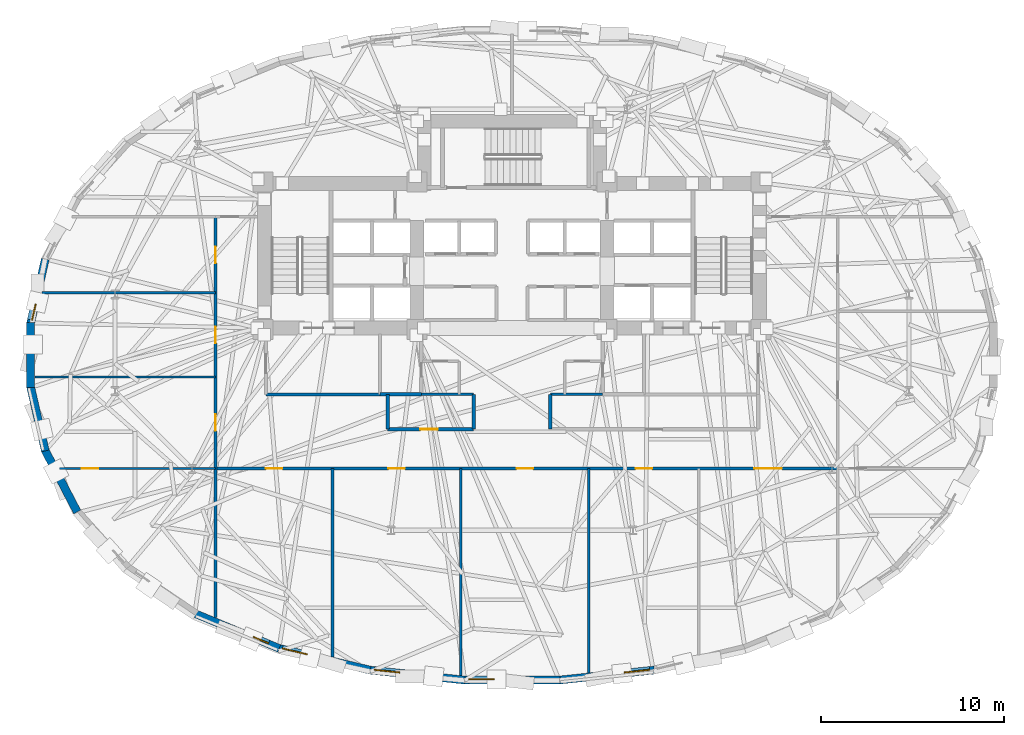
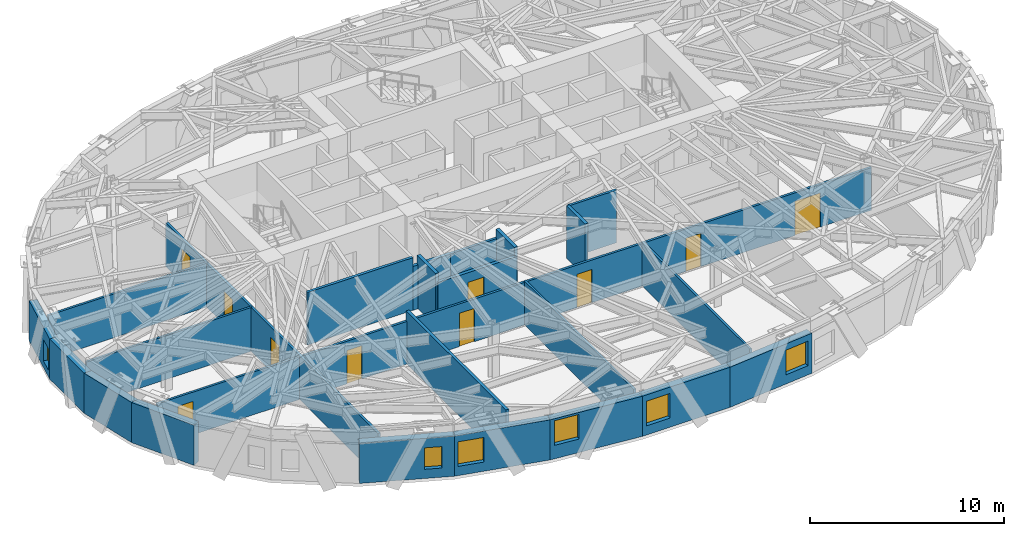
# One storey, part 6 of 14: 25 walls, 10 doors, 6 windows, 16 openings.
"""IFC4 building model written with IfcOpenShell, lengths in metres."""

from ifc_helpers import new_model, si_unit, direction, frame, frame_2d, origin, place, context, subcontext, project, spatial, rectangle, extrude, material, layer, layer_set, type_object, element, fill, save


model = new_model("IFC4")

# Units and contexts
model_context = context("Model", 3, precision=1e-05, world=origin(), true_north=direction((0.0, 1.0)))
body_context = subcontext(model_context, "Body", "Model", "MODEL_VIEW")
ifc_project = project(units=[si_unit("LENGTHUNIT", "METRE"), si_unit("AREAUNIT", "SQUARE_METRE"), si_unit("VOLUMEUNIT", "CUBIC_METRE"), si_unit("PLANEANGLEUNIT", "RADIAN"), si_unit("MASSUNIT", "GRAM", prefix="KILO")], contexts=[model_context])

# Site, building, storey
site_placement = place(None, origin())
site = spatial("IfcSite", under=ifc_project, at=site_placement, CompositionType="ELEMENT")
building_placement = place(site_placement, origin())
building = spatial("IfcBuilding", under=site, at=building_placement, Name="Keldmark Tower", CompositionType="ELEMENT")
storey_placement = place(building_placement, frame((0.0, 0.0, 117.60009765625)))
storey = spatial("IfcBuildingStorey", under=building, at=storey_placement, Name="L31", CompositionType="ELEMENT", Elevation=117.60009765625)

# Wall, openings, doors
ifc_material_1 = material(Name="Acoustic Double-Layer Gypsum Corridor Partition", Category="gypsum")
ifc_layer_1 = layer(ifc_material_1, 0.139892578125)
ifc_layer_set_1 = layer_set([ifc_layer_1], Name="Acoustic Double-Layer Gypsum Corridor Partition")
wall_type_1 = type_object("IfcWallType", Name="Acoustic Corridor Partition 140 mm", PredefinedType="PARTITIONING", material=ifc_layer_set_1)
wall_1_placement = place(storey_placement, frame((-16.199951171875, -6.199951171875, 0.0), z_axis=(0.0, 0.0, 1.0), x_axis=(1.0, 0.0, 0.0)))
wall_1 = element("IfcWall", 1, at=wall_1_placement, inside=storey, type_object=wall_type_1, Name="L31 Acoustic Corridor Partition 140 mm COR-S", PredefinedType="PARTITIONING", context=body_context, shape_type="SweptSolid", body=[
    extrude(rectangle(XDim=34.0, YDim=0.139892578125, at=frame_2d((17.0, 0.0))), origin(), (0.0, 0.0, 1.0), 2.68798828125),
])
opening_1_placement = place(wall_1_placement, frame((2.75, 0.0, 0.0)))
opening_1 = element("IfcOpeningElement", 2, at=opening_1_placement, cuts=wall_1, Name="Opening D-IN090", PredefinedType="OPENING", context=body_context, shape_type="SweptSolid", body=[
    extrude(rectangle(XDim=0.89990234375, YDim=2.10009765625, at=frame_2d((0.449951171875, 1.050048828125))), frame((0.0, 0.079833984375, 0.0), z_axis=(0.0, -1.0, 0.0), x_axis=(1.0, 0.0, 0.0)), (0.0, 0.0, 1.0), 0.159912109375),
])
opening_2_placement = place(wall_1_placement, frame((9.449951171875, 0.0, 0.0)))
opening_2 = element("IfcOpeningElement", 3, at=opening_2_placement, cuts=wall_1, Name="Opening D-IN090", PredefinedType="OPENING", context=body_context, shape_type="SweptSolid", body=[
    extrude(rectangle(XDim=0.89990234375, YDim=2.10009765625, at=frame_2d((0.449951171875, 1.050048828125))), frame((0.0, 0.079833984375, 0.0), z_axis=(0.0, -1.0, 0.0), x_axis=(1.0, 0.0, 0.0)), (0.0, 0.0, 1.0), 0.159912109375),
])
opening_3_placement = place(wall_1_placement, frame((16.449951171875, 0.0, 0.0)))
opening_3 = element("IfcOpeningElement", 4, at=opening_3_placement, cuts=wall_1, Name="Opening D-IN090", PredefinedType="OPENING", context=body_context, shape_type="SweptSolid", body=[
    extrude(rectangle(XDim=0.89990234375, YDim=2.10009765625, at=frame_2d((0.449951171875, 1.050048828125))), frame((0.0, 0.079833984375, 0.0), z_axis=(0.0, -1.0, 0.0), x_axis=(1.0, 0.0, 0.0)), (0.0, 0.0, 1.0), 0.159912109375),
])
opening_4_placement = place(wall_1_placement, frame((22.949951171875, 0.0, 0.0)))
opening_4 = element("IfcOpeningElement", 5, at=opening_4_placement, cuts=wall_1, Name="Opening D-IN090", PredefinedType="OPENING", context=body_context, shape_type="SweptSolid", body=[
    extrude(rectangle(XDim=0.89990234375, YDim=2.10009765625, at=frame_2d((0.449951171875, 1.050048828125))), frame((0.0, 0.079833984375, 0.0), z_axis=(0.0, -1.0, 0.0), x_axis=(1.0, 0.0, 0.0)), (0.0, 0.0, 1.0), 0.159912109375),
])
opening_5_placement = place(wall_1_placement, frame((29.449951171875, 0.0, 0.0)))
opening_5 = element("IfcOpeningElement", 6, at=opening_5_placement, cuts=wall_1, Name="Opening D-CF150", PredefinedType="OPENING", context=body_context, shape_type="SweptSolid", body=[
    extrude(rectangle(XDim=1.5, YDim=2.14990234375, at=frame_2d((0.75, 1.074951171875))), frame((0.0, 0.079833984375, 0.0), z_axis=(0.0, -1.0, 0.0), x_axis=(1.0, 0.0, 0.0)), (0.0, 0.0, 1.0), 0.159912109375),
])
ifc_material_2 = material(Name="Acoustic Timber and Tempered Glass Double Door", Category="wood")
door_type_1 = type_object("IfcDoorType", Name="Conference Double Door 1500x2150", OperationType="DOUBLE_DOOR_SINGLE_SWING", PredefinedType="DOOR", material=ifc_material_2)
door_1_placement = place(opening_5_placement, origin())
door_1 = element("IfcDoor", 7, at=door_1_placement, inside=storey, type_object=door_type_1, Name="L31 Conference Double Door 1500x2150 D-SR-5-L31", OperationType="DOUBLE_DOOR_SINGLE_SWING", OverallHeight=2.14990234375, OverallWidth=1.5, PredefinedType="DOOR", context=body_context, shape_type="SweptSolid", body=[
    extrude(rectangle(XDim=1.5, YDim=2.14990234375, at=frame_2d((0.75, 1.074951171875))), frame((0.0, 0.02490234375, 0.0), z_axis=(0.0, -1.0, 0.0), x_axis=(1.0, 0.0, 0.0)), (0.0, 0.0, 1.0), 0.050048828125),
])
fill(opening_5, door_1)
ifc_material_3 = material(Name="Stained American White Oak Veneer", Category="wood")
door_type_2 = type_object("IfcDoorType", Name="Interior Door 900x2100", OperationType="NOTDEFINED", PredefinedType="DOOR", material=ifc_material_3)
door_2_placement = place(opening_1_placement, origin())
door_2 = element("IfcDoor", 8, at=door_2_placement, inside=storey, type_object=door_type_2, Name="L31 Interior Door 900x2100 D-SR-1-L31", OperationType="SINGLE_SWING_LEFT", OverallHeight=2.10009765625, OverallWidth=0.89990234375, PredefinedType="DOOR", context=body_context, shape_type="SweptSolid", body=[
    extrude(rectangle(XDim=0.89990234375, YDim=2.10009765625, at=frame_2d((0.449951171875, 1.050048828125))), frame((0.0, 0.02490234375, 0.0), z_axis=(0.0, -1.0, 0.0), x_axis=(1.0, 0.0, 0.0)), (0.0, 0.0, 1.0), 0.050048828125),
])
fill(opening_1, door_2)
door_3_placement = place(opening_2_placement, origin())
door_3 = element("IfcDoor", 9, at=door_3_placement, inside=storey, type_object=door_type_2, Name="L31 Interior Door 900x2100 D-SR-2-L31", OperationType="SINGLE_SWING_RIGHT", OverallHeight=2.10009765625, OverallWidth=0.89990234375, PredefinedType="DOOR", context=body_context, shape_type="SweptSolid", body=[
    extrude(rectangle(XDim=0.89990234375, YDim=2.10009765625, at=frame_2d((0.449951171875, 1.050048828125))), frame((0.0, 0.02490234375, 0.0), z_axis=(0.0, -1.0, 0.0), x_axis=(1.0, 0.0, 0.0)), (0.0, 0.0, 1.0), 0.050048828125),
])
fill(opening_2, door_3)
door_4_placement = place(opening_3_placement, origin())
door_4 = element("IfcDoor", 10, at=door_4_placement, inside=storey, type_object=door_type_2, Name="L31 Interior Door 900x2100 D-SR-3-L31", OperationType="SINGLE_SWING_LEFT", OverallHeight=2.10009765625, OverallWidth=0.89990234375, PredefinedType="DOOR", context=body_context, shape_type="SweptSolid", body=[
    extrude(rectangle(XDim=0.89990234375, YDim=2.10009765625, at=frame_2d((0.449951171875, 1.050048828125))), frame((0.0, 0.02490234375, 0.0), z_axis=(0.0, -1.0, 0.0), x_axis=(1.0, 0.0, 0.0)), (0.0, 0.0, 1.0), 0.050048828125),
])
fill(opening_3, door_4)
door_5_placement = place(opening_4_placement, origin())
door_5 = element("IfcDoor", 11, at=door_5_placement, inside=storey, type_object=door_type_2, Name="L31 Interior Door 900x2100 D-SR-4-L31", OperationType="SINGLE_SWING_RIGHT", OverallHeight=2.10009765625, OverallWidth=0.89990234375, PredefinedType="DOOR", context=body_context, shape_type="SweptSolid", body=[
    extrude(rectangle(XDim=0.89990234375, YDim=2.10009765625, at=frame_2d((0.449951171875, 1.050048828125))), frame((0.0, 0.02490234375, 0.0), z_axis=(0.0, -1.0, 0.0), x_axis=(1.0, 0.0, 0.0)), (0.0, 0.0, 1.0), 0.050048828125),
])
fill(opening_4, door_5)

wall_2_placement = place(storey_placement, frame((-16.199951171875, -14.348388671875, 0.0), z_axis=(0.0, 0.0, 1.0), x_axis=(0.0, 1.0, 0.0)))
wall_2 = element("IfcWall", 12, at=wall_2_placement, inside=storey, type_object=wall_type_1, Name="L31 Acoustic Corridor Partition 140 mm COR-W", PredefinedType="PARTITIONING", context=body_context, shape_type="SweptSolid", body=[
    extrude(rectangle(XDim=21.8984375, YDim=0.139892578125, at=frame_2d((10.94921875, 0.0))), origin(), (0.0, 0.0, 1.0), 2.762939453125),
])
opening_6_placement = place(wall_2_placement, frame((10.198486328125, 0.0, 0.0)))
opening_6 = element("IfcOpeningElement", 13, at=opening_6_placement, cuts=wall_2, Name="Opening D-IN090", PredefinedType="OPENING", context=body_context, shape_type="SweptSolid", body=[
    extrude(rectangle(XDim=0.89990234375, YDim=2.10009765625, at=frame_2d((0.449951171875, 1.050048828125))), frame((0.0, 0.079833984375, 0.0), z_axis=(0.0, -1.0, 0.0), x_axis=(1.0, 0.0, 0.0)), (0.0, 0.0, 1.0), 0.159912109375),
])
opening_7_placement = place(wall_2_placement, frame((14.998291015625, 0.0, 0.0)))
opening_7 = element("IfcOpeningElement", 14, at=opening_7_placement, cuts=wall_2, Name="Opening D-IN090", PredefinedType="OPENING", context=body_context, shape_type="SweptSolid", body=[
    extrude(rectangle(XDim=0.89990234375, YDim=2.10009765625, at=frame_2d((0.449951171875, 1.050048828125))), frame((0.0, 0.079833984375, 0.0), z_axis=(0.0, -1.0, 0.0), x_axis=(1.0, 0.0, 0.0)), (0.0, 0.0, 1.0), 0.159912109375),
])
opening_8_placement = place(wall_2_placement, frame((19.373291015625, 0.0, 0.0)))
opening_8 = element("IfcOpeningElement", 15, at=opening_8_placement, cuts=wall_2, Name="Opening D-IN090", PredefinedType="OPENING", context=body_context, shape_type="SweptSolid", body=[
    extrude(rectangle(XDim=0.89990234375, YDim=2.10009765625, at=frame_2d((0.449951171875, 1.050048828125))), frame((0.0, 0.079833984375, 0.0), z_axis=(0.0, -1.0, 0.0), x_axis=(1.0, 0.0, 0.0)), (0.0, 0.0, 1.0), 0.159912109375),
])
door_6_placement = place(opening_6_placement, origin())
door_6 = element("IfcDoor", 16, at=door_6_placement, inside=storey, type_object=door_type_2, Name="L31 Interior Door 900x2100 D-WR-1-L31", OperationType="SINGLE_SWING_LEFT", OverallHeight=2.10009765625, OverallWidth=0.89990234375, PredefinedType="DOOR", context=body_context, shape_type="SweptSolid", body=[
    extrude(rectangle(XDim=0.89990234375, YDim=2.10009765625, at=frame_2d((0.449951171875, 1.050048828125))), frame((0.0, 0.02490234375, 0.0), z_axis=(0.0, -1.0, 0.0), x_axis=(1.0, 0.0, 0.0)), (0.0, 0.0, 1.0), 0.050048828125),
])
fill(opening_6, door_6)
door_7_placement = place(opening_7_placement, origin())
door_7 = element("IfcDoor", 17, at=door_7_placement, inside=storey, type_object=door_type_2, Name="L31 Interior Door 900x2100 D-WR-2-L31", OperationType="SINGLE_SWING_RIGHT", OverallHeight=2.10009765625, OverallWidth=0.89990234375, PredefinedType="DOOR", context=body_context, shape_type="SweptSolid", body=[
    extrude(rectangle(XDim=0.89990234375, YDim=2.10009765625, at=frame_2d((0.449951171875, 1.050048828125))), frame((0.0, 0.02490234375, 0.0), z_axis=(0.0, -1.0, 0.0), x_axis=(1.0, 0.0, 0.0)), (0.0, 0.0, 1.0), 0.050048828125),
])
fill(opening_7, door_7)
door_8_placement = place(opening_8_placement, origin())
door_8 = element("IfcDoor", 18, at=door_8_placement, inside=storey, type_object=door_type_2, Name="L31 Interior Door 900x2100 D-WR-3-L31", OperationType="SINGLE_SWING_LEFT", OverallHeight=2.10009765625, OverallWidth=0.89990234375, PredefinedType="DOOR", context=body_context, shape_type="SweptSolid", body=[
    extrude(rectangle(XDim=0.89990234375, YDim=2.10009765625, at=frame_2d((0.449951171875, 1.050048828125))), frame((0.0, 0.02490234375, 0.0), z_axis=(0.0, -1.0, 0.0), x_axis=(1.0, 0.0, 0.0)), (0.0, 0.0, 1.0), 0.050048828125),
])
fill(opening_8, door_8)

# Wall
ifc_material_4 = material(Name="STC-58 Insulated Tenant Demising Gypsum Partition", Category="gypsum")
ifc_layer_2 = layer(ifc_material_4, 0.175048828125)
ifc_layer_set_2 = layer_set([ifc_layer_2], Name="STC-58 Insulated Tenant Demising Gypsum Partition")
wall_type_2 = type_object("IfcWallType", Name="Demising Suite Partition 175 mm", PredefinedType="PARTITIONING", material=ifc_layer_set_2)
wall_3_placement = place(storey_placement, frame((-9.800048828125, -16.495361328125, 0.0), z_axis=(0.0, 0.0, 1.0), x_axis=(0.0, 1.0, 0.0)))
element("IfcWall", 19, at=wall_3_placement, inside=storey, type_object=wall_type_2, Name="L31 Demising Suite Partition 175 mm S-DIV-1", PredefinedType="PARTITIONING", context=body_context, shape_type="SweptSolid", body=[
    extrude(rectangle(XDim=10.29541015625, YDim=0.175048828125, at=frame_2d((5.147705078125, 0.0))), origin(), (0.0, 0.0, 1.0), 3.309814453125),
])

# Wall, opening, door
ifc_material_5 = material(Name="Heavy Acoustic Plumbing Chase Gypsum Assembly", Category="gypsum")
ifc_layer_3 = layer(ifc_material_5, 0.18994140625)
ifc_layer_set_3 = layer_set([ifc_layer_3], Name="Heavy Acoustic Plumbing Chase Gypsum Assembly")
wall_type_3 = type_object("IfcWallType", Name="Heavy Wet Wall 190 mm", PredefinedType="PLUMBINGWALL", material=ifc_layer_set_3)
wall_4_placement = place(storey_placement, frame((-6.800048828125, -4.050048828125, 0.0), z_axis=(0.0, 0.0, 1.0), x_axis=(1.0, 0.0, 0.0)))
wall_4 = element("IfcWall", 20, at=wall_4_placement, inside=storey, type_object=wall_type_3, Name="L31 Heavy Wet Wall 190 mm SPK-W-S", PredefinedType="PLUMBINGWALL", context=body_context, shape_type="SweptSolid", body=[
    extrude(rectangle(XDim=4.699951171875, YDim=0.18994140625, at=frame_2d((2.35009765625, 0.0))), origin(), (0.0, 0.0, 1.0), 2.762939453125),
])
opening_9_placement = place(wall_4_placement, frame((1.800048828125, 0.0, 0.0)))
opening_9 = element("IfcOpeningElement", 21, at=opening_9_placement, cuts=wall_4, Name="Opening D-AWC95", PredefinedType="OPENING", context=body_context, shape_type="SweptSolid", body=[
    extrude(rectangle(XDim=0.949951171875, YDim=2.14990234375, at=frame_2d((0.47509765625, 1.074951171875))), frame((0.0, 0.10498046875, 0.0), z_axis=(0.0, -1.0, 0.0), x_axis=(1.0, 0.0, 0.0)), (0.0, 0.0, 1.0), 0.2099609375),
])
ifc_material_6 = material(Name="Painted Solid-Core Architectural Wood", Category="wood")
door_type_3 = type_object("IfcDoorType", Name="Accessible WC Door 950x2150", OperationType="NOTDEFINED", PredefinedType="DOOR", material=ifc_material_6)
door_9_placement = place(opening_9_placement, origin())
door_9 = element("IfcDoor", 22, at=door_9_placement, inside=storey, type_object=door_type_3, Name="L31 Accessible WC Door 950x2150 D-SPKW1-L31", OperationType="SINGLE_SWING_LEFT", OverallHeight=2.14990234375, OverallWidth=0.949951171875, PredefinedType="DOOR", context=body_context, shape_type="SweptSolid", body=[
    extrude(rectangle(XDim=0.949951171875, YDim=2.14990234375, at=frame_2d((0.47509765625, 1.074951171875))), frame((0.0, 0.02490234375, 0.0), z_axis=(0.0, -1.0, 0.0), x_axis=(1.0, 0.0, 0.0)), (0.0, 0.0, 1.0), 0.050048828125),
])
fill(opening_9, door_9)

# Walls
for number, where, z_axis, x_axis, name in (
    (23, (-6.800048828125, -4.050048828125, 0.0), (0.0, 0.0, 1.0), (0.0, 1.0, 0.0), "L31 Heavy Wet Wall 190 mm SPK-W-W"),
    (24, (-2.10009765625, -4.050048828125, 0.0), (0.0, 0.0, 1.0), (0.0, 1.0, 0.0), "L31 Heavy Wet Wall 190 mm SPK-W-E"),
    (25, (2.10009765625, -4.050048828125, 0.0), (0.0, 0.0, 1.0), (0.0, 1.0, 0.0), "L31 Heavy Wet Wall 190 mm SPK-E-W"),
):
    element("IfcWall", number, at=place(storey_placement, frame(where, z_axis=z_axis, x_axis=x_axis)), inside=storey, type_object=wall_type_3, Name=name, PredefinedType="PLUMBINGWALL", context=body_context, shape_type="SweptSolid", body=[
        extrude(rectangle(XDim=1.900146484375, YDim=0.18994140625, at=frame_2d((0.9501953125, 0.0))), origin(), (0.0, 0.0, 1.0), 3.309814453125),
    ])
ifc_material_7 = material(Name="Acoustic Gypsum Board Interior Partition", Category="gypsum")
ifc_layer_4 = layer(ifc_material_7, 0.1298828125)
ifc_layer_set_4 = layer_set([ifc_layer_4], Name="Acoustic Gypsum Board Interior Partition")
wall_type_4 = type_object("IfcWallType", Name="Interior Partition 130 mm", PredefinedType="PARTITIONING", material=ifc_layer_set_4)
wall_5_placement = place(storey_placement, frame((-2.800048828125, -17.510498046875, 0.0), z_axis=(0.0, 0.0, 1.0), x_axis=(0.0, 1.0, 0.0)))
element("IfcWall", 26, at=wall_5_placement, inside=storey, type_object=wall_type_4, Name="L31 Interior Partition 130 mm S-DIV-2", PredefinedType="PARTITIONING", context=body_context, shape_type="SweptSolid", body=[
    extrude(rectangle(XDim=11.310546875, YDim=0.1298828125, at=frame_2d((5.6552734375, 0.0))), origin(), (0.0, 0.0, 1.0), 2.762939453125),
])
wall_6_placement = place(storey_placement, frame((4.199951171875, -17.363037109375, 0.0), z_axis=(0.0, 0.0, 1.0), x_axis=(0.0, 1.0, 0.0)))
element("IfcWall", 27, at=wall_6_placement, inside=storey, type_object=wall_type_4, Name="L31 Interior Partition 130 mm S-DIV-3", PredefinedType="PARTITIONING", context=body_context, shape_type="SweptSolid", body=[
    extrude(rectangle(XDim=11.1630859375, YDim=0.1298828125, at=frame_2d((5.58154296875, 0.0))), origin(), (0.0, 0.0, 1.0), 2.762939453125),
])

# Wall, opening, door
wall_7_placement = place(storey_placement, frame((-24.736572265625, -6.199951171875, 0.0), z_axis=(0.0, 0.0, 1.0), x_axis=(1.0, 0.0, 0.0)))
wall_7 = element("IfcWall", 28, at=wall_7_placement, inside=storey, type_object=wall_type_4, Name="L31 Interior Partition 130 mm W-CAP-S", PredefinedType="PARTITIONING", context=body_context, shape_type="SweptSolid", body=[
    extrude(rectangle(XDim=8.53662109375, YDim=0.1298828125, at=frame_2d((4.268310546875, 0.0))), origin(), (0.0, 0.0, 1.0), 2.68798828125),
])
opening_10_placement = place(wall_7_placement, frame((1.22998046875, 0.0, 0.0)))
opening_10 = element("IfcOpeningElement", 29, at=opening_10_placement, cuts=wall_7, Name="Opening D-IN090", PredefinedType="OPENING", context=body_context, shape_type="SweptSolid", body=[
    extrude(rectangle(XDim=0.89990234375, YDim=2.10009765625, at=frame_2d((0.449951171875, 1.050048828125))), frame((0.0, 0.074951171875, 0.0), z_axis=(0.0, -1.0, 0.0), x_axis=(1.0, 0.0, 0.0)), (0.0, 0.0, 1.0), 0.14990234375),
])
door_10_placement = place(opening_10_placement, origin())
door_10 = element("IfcDoor", 30, at=door_10_placement, inside=storey, type_object=door_type_2, Name="L31 Interior Door 900x2100 D-WRSW-L31", OperationType="SINGLE_SWING_LEFT", OverallHeight=2.10009765625, OverallWidth=0.89990234375, PredefinedType="DOOR", context=body_context, shape_type="SweptSolid", body=[
    extrude(rectangle(XDim=0.89990234375, YDim=2.10009765625, at=frame_2d((0.449951171875, 1.050048828125))), frame((0.0, 0.02490234375, 0.0), z_axis=(0.0, -1.0, 0.0), x_axis=(1.0, 0.0, 0.0)), (0.0, 0.0, 1.0), 0.050048828125),
])
fill(opening_10, door_10)

# Walls
wall_8_placement = place(storey_placement, frame((-26.073974609375, -1.199951171875, 0.0), z_axis=(0.0, 0.0, 1.0), x_axis=(1.0, 0.0, 0.0)))
element("IfcWall", 31, at=wall_8_placement, inside=storey, type_object=wall_type_4, Name="L31 Interior Partition 130 mm W-DIV-1", PredefinedType="PARTITIONING", context=body_context, shape_type="SweptSolid", body=[
    extrude(rectangle(XDim=9.8740234375, YDim=0.1298828125, at=frame_2d((4.93701171875, 0.0))), origin(), (0.0, 0.0, 1.0), 2.762939453125),
])
wall_9_placement = place(storey_placement, frame((-25.689208984375, 3.39990234375, 0.0), z_axis=(0.0, 0.0, 1.0), x_axis=(1.0, 0.0, 0.0)))
element("IfcWall", 32, at=wall_9_placement, inside=storey, type_object=wall_type_4, Name="L31 Interior Partition 130 mm W-DIV-2", PredefinedType="PARTITIONING", context=body_context, shape_type="SweptSolid", body=[
    extrude(rectangle(XDim=9.4892578125, YDim=0.1298828125, at=frame_2d((4.74462890625, 0.0))), origin(), (0.0, 0.0, 1.0), 2.762939453125),
])
ifc_material_8 = material(Name="Type X Fire-Rated Gypsum Partition Assembly", Category="gypsum")
ifc_layer_5 = layer(ifc_material_8, 0.1650390625)
ifc_layer_set_5 = layer_set([ifc_layer_5], Name="Type X Fire-Rated Gypsum Partition Assembly")
wall_type_5 = type_object("IfcWallType", Name="Rated Partition 165 mm", PredefinedType="PARTITIONING", material=ifc_layer_set_5)
wall_10_placement = place(storey_placement, frame((-13.449951171875, -2.14990234375, 0.0), z_axis=(0.0, 0.0, 1.0), x_axis=(1.0, 0.0, 0.0)))
element("IfcWall", 33, at=wall_10_placement, inside=storey, type_object=wall_type_5, Name="L31 Rated Partition 165 mm FSAE-W-S", PredefinedType="PARTITIONING", context=body_context, shape_type="SweptSolid", body=[
    extrude(rectangle(XDim=6.25, YDim=0.1650390625, at=frame_2d((3.125, 0.0))), origin(), (0.0, 0.0, 1.0), 3.309814453125),
])
ifc_material_9 = material(Name="Fire-Resistant Type X Gypsum Shaftliner Coreboard", Category="gypsum")
ifc_layer_6 = layer(ifc_material_9, 0.199951171875)
ifc_layer_set_6 = layer_set([ifc_layer_6], Name="Fire-Resistant Type X Gypsum Shaftliner Coreboard")
wall_type_6 = type_object("IfcWallType", Name="Shaft Wall 200 mm", PredefinedType="SOLIDWALL", material=ifc_layer_set_6)
wall_11_placement = place(storey_placement, frame((-7.199951171875, -2.14990234375, 0.0), z_axis=(0.0, 0.0, 1.0), x_axis=(1.0, 0.0, 0.0)))
element("IfcWall", 34, at=wall_11_placement, inside=storey, type_object=wall_type_6, Name="L31 Shaft Wall 200 mm RIS-SW-S", PredefinedType="SOLIDWALL", context=body_context, shape_type="SweptSolid", body=[
    extrude(rectangle(XDim=2.25, YDim=0.199951171875, at=frame_2d((1.125, 0.0))), origin(), (0.0, 0.0, 1.0), 2.762939453125),
])

# Wall, opening, window
ifc_material_10 = material(Name="Ironspot Manganese Brick and Kasota Buff Limestone Spandrel Assembly", Category="masonry")
ifc_layer_7 = layer(ifc_material_10, 0.43994140625)
ifc_layer_set_7 = layer_set([ifc_layer_7], Name="Ironspot Manganese Brick and Kasota Buff Limestone Spandrel Assembly")
wall_type_7 = type_object("IfcWallType", Name="Tower Brick Pier and Spandrel Wall 440 mm", PredefinedType="STANDARD", material=ifc_layer_set_7)
wall_12_placement = place(storey_placement, frame((-26.3076171875, 1.721923828125, 0.0), z_axis=(0.0, 0.0, 1.0), x_axis=(0.223322591546, 0.974744592242, 0.0)))
wall_12 = element("IfcWall", 35, at=wall_12_placement, inside=storey, type_object=wall_type_7, Name="L31 Exterior Brick and Spandrel Wall 15", PredefinedType="STANDARD", context=body_context, shape_type="SweptSolid", body=[
    extrude(rectangle(XDim=3.608642578125, YDim=0.43994140625, at=frame_2d((1.80419921875, 0.0))), origin(), (0.0, 0.0, 1.0), 2.52783203125),
])
opening_11_placement = place(wall_12_placement, frame((0.199951171875, 0.0, 0.419921875)))
opening_11 = element("IfcOpeningElement", 36, at=opening_11_placement, cuts=wall_12, Name="Opening W-09", PredefinedType="OPENING", context=body_context, shape_type="SweptSolid", body=[
    extrude(rectangle(XDim=0.89990234375, YDim=1.35009765625, at=frame_2d((0.449951171875, 0.675048828125))), frame((0.0, 0.22998046875, 0.0), z_axis=(0.0, -1.0, 0.0), x_axis=(1.0, 0.0, 0.0)), (0.0, 0.0, 1.0), 0.4599609375),
])
ifc_material_11 = material(Name="Thermally Broken Anodized Aluminum and Triple Low-E Argon Glazing", Category="aluminium")
window_type_1 = type_object("IfcWindowType", Name="Corner Pier Deep-Set Window 900x1350", PartitioningType="SINGLE_PANEL", PredefinedType="WINDOW", material=ifc_material_11)
window_1_placement = place(opening_11_placement, origin())
window_1 = element("IfcWindow", 37, at=window_1_placement, inside=storey, type_object=window_type_1, Name="L31 Deep-Set Window 15", OverallHeight=1.35009765625, OverallWidth=0.89990234375, PartitioningType="SINGLE_PANEL", PredefinedType="WINDOW", context=body_context, shape_type="SweptSolid", body=[
    extrude(rectangle(XDim=0.89990234375, YDim=1.35009765625, at=frame_2d((0.449951171875, 0.675048828125))), frame((0.0, -0.010009765625, 0.0), z_axis=(0.0, -1.0, 0.0), x_axis=(1.0, 0.0, 0.0)), (0.0, 0.0, 1.0), 0.06005859375),
])
fill(opening_11, window_1)

# Walls
wall_13_placement = place(storey_placement, frame((-26.302001953125, -1.77099609375, 0.0), z_axis=(0.0, 0.0, 1.0), x_axis=(0.0, 1.0, 0.0)))
element("IfcWall", 38, at=wall_13_placement, inside=storey, type_object=wall_type_7, Name="L31 Exterior Brick and Spandrel Wall 16", PredefinedType="STANDARD", context=body_context, shape_type="SweptSolid", body=[
    extrude(rectangle(XDim=3.5419921875, YDim=0.43994140625, at=frame_2d((1.77099609375, 0.0))), origin(), (0.0, 0.0, 1.0), 2.52783203125),
])
wall_14_placement = place(storey_placement, frame((-25.501708984375, -5.239501953125, 0.0), z_axis=(0.0, 0.0, 1.0), x_axis=(-0.223322591546, 0.974744592242, 0.0)))
element("IfcWall", 39, at=wall_14_placement, inside=storey, type_object=wall_type_7, Name="L31 Exterior Brick and Spandrel Wall 17", PredefinedType="STANDARD", context=body_context, shape_type="SweptSolid", body=[
    extrude(rectangle(XDim=3.608642578125, YDim=0.43994140625, at=frame_2d((1.80419921875, 0.0))), origin(), (0.0, 0.0, 1.0), 2.52783203125),
])
wall_15_placement = place(storey_placement, frame((-23.755859375, -8.57763671875, 0.0), z_axis=(0.0, 0.0, 1.0), x_axis=(-0.461766944701, 0.88700129018, 0.0)))
element("IfcWall", 40, at=wall_15_placement, inside=storey, type_object=wall_type_7, Name="L31 Exterior Brick and Spandrel Wall 18", PredefinedType="STANDARD", context=body_context, shape_type="SweptSolid", body=[
    extrude(rectangle(XDim=3.822509765625, YDim=0.43994140625, at=frame_2d((1.9111328125, 0.0))), origin(), (0.0, 0.0, 1.0), 2.52783203125),
])

# Wall, opening, window
wall_16_placement = place(storey_placement, frame((-12.718017578125, -16.034423828125, 0.0), z_axis=(0.0, 0.0, 1.0), x_axis=(-0.924140141084, 0.382053660678, 0.0)))
wall_16 = element("IfcWall", 41, at=wall_16_placement, inside=storey, type_object=wall_type_7, Name="L31 Exterior Brick and Spandrel Wall 21", PredefinedType="STANDARD", context=body_context, shape_type="SweptSolid", body=[
    extrude(rectangle(XDim=4.94287109375, YDim=0.43994140625, at=frame_2d((2.471435546875, 0.0))), origin(), (0.0, 0.0, 1.0), 2.52783203125),
])
opening_12_placement = place(wall_16_placement, frame((0.649169921875, 0.0, 0.580078125)))
opening_12 = element("IfcOpeningElement", 42, at=opening_12_placement, cuts=wall_16, Name="Opening W-09", PredefinedType="OPENING", context=body_context, shape_type="SweptSolid", body=[
    extrude(rectangle(XDim=0.89990234375, YDim=1.35009765625, at=frame_2d((0.449951171875, 0.675048828125))), frame((0.0, 0.22998046875, 0.0), z_axis=(0.0, -1.0, 0.0), x_axis=(1.0, 0.0, 0.0)), (0.0, 0.0, 1.0), 0.4599609375),
])
window_2_placement = place(opening_12_placement, origin())
window_2 = element("IfcWindow", 43, at=window_2_placement, inside=storey, type_object=window_type_1, Name="L31 Deep-Set Window 21", OverallHeight=1.35009765625, OverallWidth=0.89990234375, PartitioningType="SINGLE_PANEL", PredefinedType="WINDOW", context=body_context, shape_type="SweptSolid", body=[
    extrude(rectangle(XDim=0.89990234375, YDim=1.35009765625, at=frame_2d((0.449951171875, 0.675048828125))), frame((0.0, -0.010009765625, 0.0), z_axis=(0.0, -1.0, 0.0), x_axis=(1.0, 0.0, 0.0)), (0.0, 0.0, 1.0), 0.06005859375),
])
fill(opening_12, window_2)

wall_17_placement = place(storey_placement, frame((-7.749755859375, -17.220458984375, 0.0), z_axis=(0.0, 0.0, 1.0), x_axis=(-0.972539655933, 0.232737228734, 0.0)))
wall_17 = element("IfcWall", 44, at=wall_17_placement, inside=storey, type_object=wall_type_7, Name="L31 Exterior Brick and Spandrel Wall 22", PredefinedType="STANDARD", context=body_context, shape_type="SweptSolid", body=[
    extrude(rectangle(XDim=5.14208984375, YDim=0.43994140625, at=frame_2d((2.571044921875, 0.0))), origin(), (0.0, 0.0, 1.0), 2.52783203125),
])
opening_13_placement = place(wall_17_placement, frame((3.542236328125, 0.0, 0.580078125)))
opening_13 = element("IfcOpeningElement", 45, at=opening_13_placement, cuts=wall_17, Name="Opening W-08", PredefinedType="OPENING", context=body_context, shape_type="SweptSolid", body=[
    extrude(rectangle(XDim=1.39990234375, YDim=1.550048828125, at=frame_2d((0.699951171875, 0.77490234375))), frame((0.0, 0.22998046875, 0.0), z_axis=(0.0, -1.0, 0.0), x_axis=(1.0, 0.0, 0.0)), (0.0, 0.0, 1.0), 0.4599609375),
])
ifc_material_12 = material(Name="Thermally Broken Anodized Aluminum and Triple Low-E Argon Glazing", Category="aluminium")
window_type_2 = type_object("IfcWindowType", Name="Residential Corner Punched Window 1400x1550", PartitioningType="SINGLE_PANEL", PredefinedType="WINDOW", material=ifc_material_12)
window_3_placement = place(opening_13_placement, origin())
window_3 = element("IfcWindow", 46, at=window_3_placement, inside=storey, type_object=window_type_2, Name="L31 Deep-Set Window 22", OverallHeight=1.550048828125, OverallWidth=1.39990234375, PartitioningType="SINGLE_PANEL", PredefinedType="WINDOW", context=body_context, shape_type="SweptSolid", body=[
    extrude(rectangle(XDim=1.39990234375, YDim=1.550048828125, at=frame_2d((0.699951171875, 0.77490234375))), frame((0.0, -0.010009765625, 0.0), z_axis=(0.0, -1.0, 0.0), x_axis=(1.0, 0.0, 0.0)), (0.0, 0.0, 1.0), 0.06005859375),
])
fill(opening_13, window_3)

wall_18_placement = place(storey_placement, frame((-2.589111328125, -17.761962890625, 0.0), z_axis=(0.0, 0.0, 1.0), x_axis=(-0.994501349718, 0.104723757619, 0.0)))
wall_18 = element("IfcWall", 47, at=wall_18_placement, inside=storey, type_object=wall_type_7, Name="L31 Exterior Brick and Spandrel Wall 23", PredefinedType="STANDARD", context=body_context, shape_type="SweptSolid", body=[
    extrude(rectangle(XDim=5.217529296875, YDim=0.43994140625, at=frame_2d((2.60888671875, 0.0))), origin(), (0.0, 0.0, 1.0), 2.52783203125),
])
opening_14_placement = place(wall_18_placement, frame((3.56787109375, 0.0, 0.85009765625)))
opening_14 = element("IfcOpeningElement", 48, at=opening_14_placement, cuts=wall_18, Name="Opening W-08", PredefinedType="OPENING", context=body_context, shape_type="SweptSolid", body=[
    extrude(rectangle(XDim=1.39990234375, YDim=1.550048828125, at=frame_2d((0.699951171875, 0.77490234375))), frame((0.0, 0.22998046875, 0.0), z_axis=(0.0, -1.0, 0.0), x_axis=(1.0, 0.0, 0.0)), (0.0, 0.0, 1.0), 0.4599609375),
])
window_4_placement = place(opening_14_placement, origin())
window_4 = element("IfcWindow", 49, at=window_4_placement, inside=storey, type_object=window_type_2, Name="L31 Deep-Set Window 23", OverallHeight=1.550048828125, OverallWidth=1.39990234375, PartitioningType="SINGLE_PANEL", PredefinedType="WINDOW", context=body_context, shape_type="SweptSolid", body=[
    extrude(rectangle(XDim=1.39990234375, YDim=1.550048828125, at=frame_2d((0.699951171875, 0.77490234375))), frame((0.0, -0.010009765625, 0.0), z_axis=(0.0, -1.0, 0.0), x_axis=(1.0, 0.0, 0.0)), (0.0, 0.0, 1.0), 0.06005859375),
])
fill(opening_14, window_4)

wall_19_placement = place(storey_placement, frame((2.6123046875, -17.7607421875, 0.0), z_axis=(0.0, 0.0, 1.0), x_axis=(-1.0, 0.0, 0.0)))
wall_19 = element("IfcWall", 50, at=wall_19_placement, inside=storey, type_object=wall_type_7, Name="L31 Exterior Brick and Spandrel Wall 24", PredefinedType="STANDARD", context=body_context, shape_type="SweptSolid", body=[
    extrude(rectangle(XDim=5.224609375, YDim=0.43994140625, at=frame_2d((2.6123046875, 0.0))), origin(), (0.0, 0.0, 1.0), 2.52783203125),
])
opening_15_placement = place(wall_19_placement, frame((3.57470703125, 0.0, 0.580078125)))
opening_15 = element("IfcOpeningElement", 51, at=opening_15_placement, cuts=wall_19, Name="Opening W-08", PredefinedType="OPENING", context=body_context, shape_type="SweptSolid", body=[
    extrude(rectangle(XDim=1.39990234375, YDim=1.550048828125, at=frame_2d((0.699951171875, 0.77490234375))), frame((0.0, 0.22998046875, 0.0), z_axis=(0.0, -1.0, 0.0), x_axis=(1.0, 0.0, 0.0)), (0.0, 0.0, 1.0), 0.4599609375),
])
window_5_placement = place(opening_15_placement, origin())
window_5 = element("IfcWindow", 52, at=window_5_placement, inside=storey, type_object=window_type_2, Name="L31 Deep-Set Window 24", OverallHeight=1.550048828125, OverallWidth=1.39990234375, PartitioningType="SINGLE_PANEL", PredefinedType="WINDOW", context=body_context, shape_type="SweptSolid", body=[
    extrude(rectangle(XDim=1.39990234375, YDim=1.550048828125, at=frame_2d((0.699951171875, 0.77490234375))), frame((0.0, -0.010009765625, 0.0), z_axis=(0.0, -1.0, 0.0), x_axis=(1.0, 0.0, 0.0)), (0.0, 0.0, 1.0), 0.06005859375),
])
fill(opening_15, window_5)

wall_20_placement = place(storey_placement, frame((7.77783203125, -17.215576171875, 0.0), z_axis=(0.0, 0.0, 1.0), x_axis=(-0.994501349718, -0.104723757619, 0.0)))
wall_20 = element("IfcWall", 53, at=wall_20_placement, inside=storey, type_object=wall_type_7, Name="L31 Exterior Brick and Spandrel Wall 25", PredefinedType="STANDARD", context=body_context, shape_type="SweptSolid", body=[
    extrude(rectangle(XDim=5.217529296875, YDim=0.43994140625, at=frame_2d((2.60888671875, 0.0))), origin(), (0.0, 0.0, 1.0), 2.52783203125),
])
opening_16_placement = place(wall_20_placement, frame((0.24951171875, 0.0, 0.580078125)))
opening_16 = element("IfcOpeningElement", 54, at=opening_16_placement, cuts=wall_20, Name="Opening W-08", PredefinedType="OPENING", context=body_context, shape_type="SweptSolid", body=[
    extrude(rectangle(XDim=1.39990234375, YDim=1.550048828125, at=frame_2d((0.699951171875, 0.77490234375))), frame((0.0, 0.22998046875, 0.0), z_axis=(0.0, -1.0, 0.0), x_axis=(1.0, 0.0, 0.0)), (0.0, 0.0, 1.0), 0.4599609375),
])
window_6_placement = place(opening_16_placement, origin())
window_6 = element("IfcWindow", 55, at=window_6_placement, inside=storey, type_object=window_type_2, Name="L31 Deep-Set Window 25", OverallHeight=1.550048828125, OverallWidth=1.39990234375, PartitioningType="SINGLE_PANEL", PredefinedType="WINDOW", context=body_context, shape_type="SweptSolid", body=[
    extrude(rectangle(XDim=1.39990234375, YDim=1.550048828125, at=frame_2d((0.699951171875, 0.77490234375))), frame((0.0, -0.010009765625, 0.0), z_axis=(0.0, -1.0, 0.0), x_axis=(1.0, 0.0, 0.0)), (0.0, 0.0, 1.0), 0.06005859375),
])
fill(opening_16, window_6)

# Walls
ifc_material_13 = material(Name="Moisture-Resistant Gypsum Plumbing Partition", Category="gypsum")
ifc_layer_8 = layer(ifc_material_13, 0.14990234375)
ifc_layer_set_8 = layer_set([ifc_layer_8], Name="Moisture-Resistant Gypsum Plumbing Partition")
wall_type_8 = type_object("IfcWallType", Name="Wet Wall 150 mm", PredefinedType="PLUMBINGWALL", material=ifc_layer_set_8)
wall_21_placement = place(storey_placement, frame((-4.949951171875, -2.14990234375, 0.0), z_axis=(0.0, 0.0, 1.0), x_axis=(1.0, 0.0, 0.0)))
element("IfcWall", 56, at=wall_21_placement, inside=storey, type_object=wall_type_8, Name="L31 Wet Wall 150 mm SPK-W-N", PredefinedType="PLUMBINGWALL", context=body_context, shape_type="SweptSolid", body=[
    extrude(rectangle(XDim=2.849853515625, YDim=0.14990234375, at=frame_2d((1.4248046875, 0.0))), origin(), (0.0, 0.0, 1.0), 2.762939453125),
])
wall_22_placement = place(storey_placement, frame((2.10009765625, -2.14990234375, 0.0), z_axis=(0.0, 0.0, 1.0), x_axis=(1.0, 0.0, 0.0)))
element("IfcWall", 57, at=wall_22_placement, inside=storey, type_object=wall_type_8, Name="L31 Wet Wall 150 mm SPK-E-N", PredefinedType="PLUMBINGWALL", context=body_context, shape_type="SweptSolid", body=[
    extrude(rectangle(XDim=2.849853515625, YDim=0.14990234375, at=frame_2d((1.4248046875, 0.0))), origin(), (0.0, 0.0, 1.0), 3.309814453125),
])

save(model, "model.ifc")
